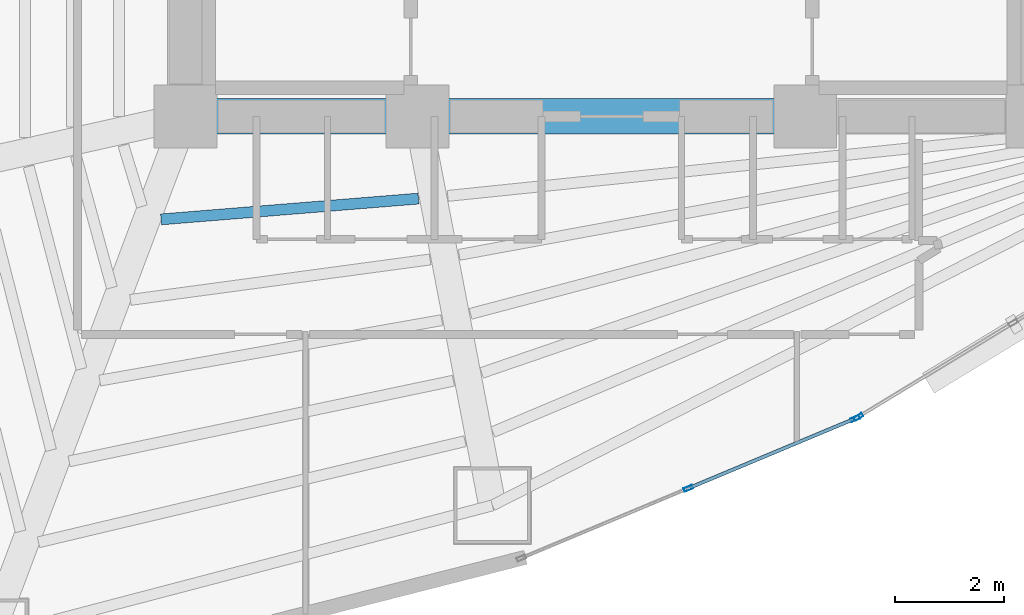
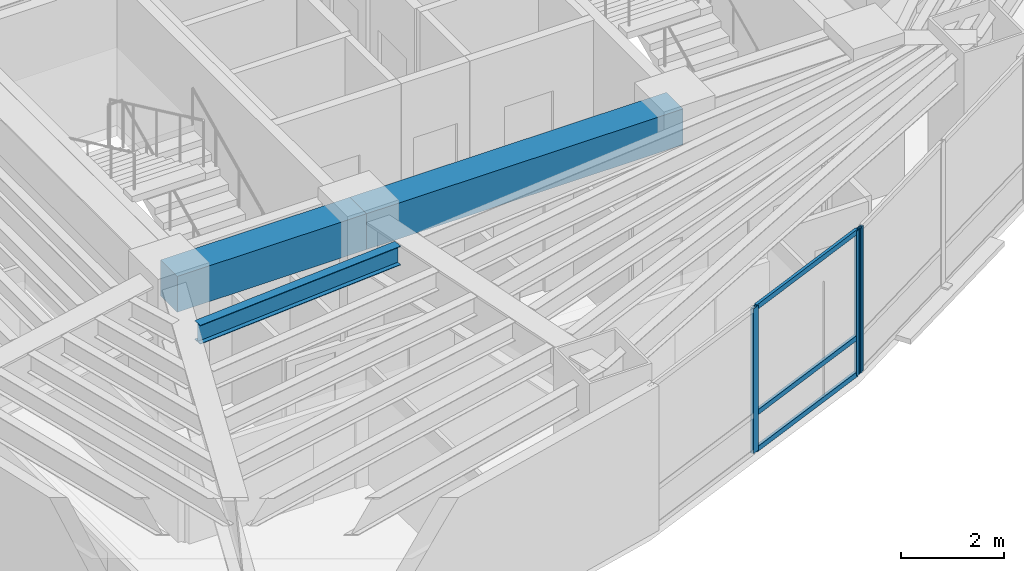
# One storey, part 4 of 18: 6 members, 3 beams, 2 elements without a shape of their own.
"""IFC4 building model written with IfcOpenShell, lengths in metres."""

from ifc_helpers import new_model, si_unit, direction, frame, origin, origin_2d, place, context, subcontext, project, spatial, rectangle, hollow_rectangle, i_section, extrude, material, layer, layer_set, material_profile, profile_set, type_object, element, aggregate, save


model = new_model("IFC4")

# Units and contexts
model_context = context("Model", 3, precision=1e-05, world=origin(), true_north=direction((0.0, 1.0)))
body_context = subcontext(model_context, "Body", "Model", "MODEL_VIEW")
ifc_project = project(units=[si_unit("LENGTHUNIT", "METRE"), si_unit("AREAUNIT", "SQUARE_METRE"), si_unit("VOLUMEUNIT", "CUBIC_METRE"), si_unit("PLANEANGLEUNIT", "RADIAN"), si_unit("MASSUNIT", "GRAM", prefix="KILO")], contexts=[model_context])

# Site, building, storey
site_placement = place(None, origin())
site = spatial("IfcSite", under=ifc_project, at=site_placement, CompositionType="ELEMENT")
building_placement = place(site_placement, origin())
building = spatial("IfcBuilding", under=site, at=building_placement, Name="Menara Vayukalpa", CompositionType="ELEMENT")
storey_placement = place(building_placement, frame((0.0, 0.0, 53.639892578125)))
storey = spatial("IfcBuildingStorey", under=building, at=storey_placement, Name="L12", CompositionType="ELEMENT", Elevation=53.639892578125)

# Beams
ifc_material_1 = material(Name="Concrete C60/75", Category="concrete")
ifc_material_profile_1 = material_profile(ifc_material_1, rectangle(XDim=0.64990234375, YDim=0.85009765625, at=origin_2d()), Name="RC 650x850")
ifc_profile_set_1 = profile_set([ifc_material_profile_1], Name="Concrete C60/75")
beam_type_1 = type_object("IfcBeamType", Name="BM-CB1", PredefinedType="BEAM", material=ifc_profile_set_1)
beam_1_placement = place(storey_placement, frame((17.800048828125, 17.199951171875, 3.01513671875), z_axis=(1.0, 0.0, 0.0), x_axis=(0.0, 1.0, 0.0)))
element("IfcBeam", 1, at=beam_1_placement, inside=storey, type_object=beam_type_1, Name="L12 Core Tie Beam CBR1", PredefinedType="BEAM", context=body_context, shape_type="SweptSolid", body=[
    extrude(rectangle(XDim=0.64990234375, YDim=0.85009765625, at=origin_2d()), origin(), (0.0, 0.0, 1.0), 4.25),
])
beam_2_placement = place(storey_placement, frame((22.050048828125, 17.199951171875, 3.01513671875), z_axis=(1.0, 0.0, 0.0), x_axis=(0.0, 1.0, 0.0)))
element("IfcBeam", 2, at=beam_2_placement, inside=storey, type_object=beam_type_1, Name="L12 Core Tie Beam CBR2", PredefinedType="BEAM", context=body_context, shape_type="SweptSolid", body=[
    extrude(rectangle(XDim=0.64990234375, YDim=0.85009765625, at=origin_2d()), origin(), (0.0, 0.0, 1.0), 7.099853515625),
])
ifc_material_2 = material(Name="Steel S355", Category="steel")
ifc_material_profile_2 = material_profile(ifc_material_2, i_section(OverallWidth=0.199951171875, OverallDepth=0.449951171875, WebThickness=0.009033203125, FlangeThickness=0.013916015625, at=origin_2d()), Name="WF 450x200x9x14")
ifc_profile_set_2 = profile_set([ifc_material_profile_2], Name="Steel S355")
beam_type_2 = type_object("IfcBeamType", Name="BM-SJ1", PredefinedType="JOIST", material=ifc_profile_set_2)
beam_3_placement = place(storey_placement, frame((17.352294921875, 15.313720703125, 3.215087890625), z_axis=(0.996747790035, 0.080584384724, 0.0), x_axis=(-0.080584384724, 0.996747790035, 0.0)))
element("IfcBeam", 3, at=beam_3_placement, inside=storey, type_object=beam_type_2, Name="L12 Secondary Floor Joist SJ07-1", PredefinedType="JOIST", context=body_context, shape_type="SweptSolid", body=[
    extrude(i_section(OverallWidth=0.199951171875, OverallDepth=0.449951171875, WebThickness=0.009033203125, FlangeThickness=0.013916015625, at=origin_2d()), origin(), (0.0, 0.0, 1.0), 4.729248046875),
])

# Curtain wall, members
ifc_material_3 = material(Name="Anodised Terracotta Aluminium Alloy 6063-T6", Category="masonry")
ifc_layer = layer(ifc_material_3, 0.1650390625)
ifc_layer_set = layer_set([ifc_layer], Name="Anodised Terracotta Aluminium Alloy 6063-T6")
curtain_wall_type = type_object("IfcCurtainWallType", Name="CW-CW2", PredefinedType="USERDEFINED", material=ifc_layer_set)
curtain_wall_1_placement = place(storey_placement, origin())
curtain_wall_1 = element("IfcCurtainWall", 4, at=curtain_wall_1_placement, inside=storey, type_object=curtain_wall_type, Name="L12 Low Rise Terracotta Ribbon Curtain Wall CW2 16", ObjectType="UNITISED", PredefinedType="USERDEFINED")
ifc_material_4 = material(Name="Anodised Terracotta Aluminium Alloy 6063-T6", Category="masonry")
ifc_material_profile_3 = material_profile(ifc_material_4, hollow_rectangle(XDim=0.070068359375, YDim=0.1650390625, WallThickness=0.00390625, at=origin_2d()), Name="ALU 70x165x4")
ifc_profile_set_3 = profile_set([ifc_material_profile_3], Name="Anodised Terracotta Aluminium Alloy 6063-T6")
member_type_1 = type_object("IfcMemberType", Name="CWM-CW2", PredefinedType="MULLION", material=ifc_profile_set_3)
member_1_placement = place(storey_placement, frame((27.0068359375, 10.388916015625, 0.0), z_axis=(0.0, 0.0, 1.0), x_axis=(-0.385895120445, 0.922542658101, 0.0)))
member_1 = element("IfcMember", 5, at=member_1_placement, type_object=member_type_1, Name="CW2 mullion 2", PredefinedType="MULLION", context=body_context, shape_type="SweptSolid", body=[
    extrude(hollow_rectangle(XDim=0.070068359375, YDim=0.1650390625, WallThickness=0.00390625, at=origin_2d()), origin(), (0.0, 0.0, 1.0), 3.440185546875),
])
member_2_placement = place(storey_placement, frame((30.062744140625, 11.6669921875, 0.0), z_axis=(0.0, 0.0, 1.0), x_axis=(-0.385895120445, 0.922542658101, 0.0)))
member_2 = element("IfcMember", 6, at=member_2_placement, type_object=member_type_1, Name="CW2 mullion 3", PredefinedType="MULLION", context=body_context, shape_type="SweptSolid", body=[
    extrude(hollow_rectangle(XDim=0.070068359375, YDim=0.1650390625, WallThickness=0.00390625, at=origin_2d()), origin(), (0.0, 0.0, 1.0), 3.440185546875),
])

# Curtain wall, member
curtain_wall_2_placement = place(storey_placement, origin())
curtain_wall_2 = element("IfcCurtainWall", 7, at=curtain_wall_2_placement, inside=storey, type_object=curtain_wall_type, Name="L12 Low Rise Terracotta Ribbon Curtain Wall CW2 17", ObjectType="UNITISED", PredefinedType="USERDEFINED")
member_3_placement = place(storey_placement, frame((30.125, 11.69873046875, 0.0), z_axis=(0.0, 0.0, 1.0), x_axis=(-0.519181964377, 0.854663727945, 0.0)))
member_3 = element("IfcMember", 8, at=member_3_placement, type_object=member_type_1, Name="CW2 mullion 1", PredefinedType="MULLION", context=body_context, shape_type="SweptSolid", body=[
    extrude(hollow_rectangle(XDim=0.070068359375, YDim=0.1650390625, WallThickness=0.00390625, at=origin_2d()), origin(), (0.0, 0.0, 1.0), 3.440185546875),
])
aggregate(curtain_wall_2, [member_3])

# Member
ifc_material_5 = material(Name="Anodised Terracotta Aluminium Alloy 6063-T6", Category="masonry")
ifc_material_profile_4 = material_profile(ifc_material_5, hollow_rectangle(XDim=0.06494140625, YDim=0.1201171875, WallThickness=0.00341796875, at=origin_2d()), Name="ALU 65x120x3.5")
ifc_profile_set_4 = profile_set([ifc_material_profile_4], Name="Anodised Terracotta Aluminium Alloy 6063-T6")
member_type_2 = type_object("IfcMemberType", Name="CWT-CW2", PredefinedType="USERDEFINED", material=ifc_profile_set_4)
member_4_placement = place(storey_placement, frame((27.0390625, 10.40234375, 0.03271484375), z_axis=(0.922552588381, 0.385871379699, 0.0), x_axis=(-0.385871379699, 0.922552588381, 0.0)))
member_4 = element("IfcMember", 9, at=member_4_placement, type_object=member_type_2, Name="CW2 transom 2.1", ObjectType="TRANSOM", PredefinedType="USERDEFINED", context=body_context, shape_type="SweptSolid", body=[
    extrude(hollow_rectangle(XDim=0.06494140625, YDim=0.1201171875, WallThickness=0.00341796875, at=origin_2d()), origin(), (0.0, 0.0, 1.0), 3.24267578125),
])

member_5_placement = place(storey_placement, frame((27.0390625, 10.40234375, 0.900146484375), z_axis=(0.922552588381, 0.385871379699, 0.0), x_axis=(-0.385871379699, 0.922552588381, 0.0)))
member_5 = element("IfcMember", 10, at=member_5_placement, type_object=member_type_2, Name="CW2 transom 2.2", ObjectType="TRANSOM", PredefinedType="USERDEFINED", context=body_context, shape_type="SweptSolid", body=[
    extrude(hollow_rectangle(XDim=0.06494140625, YDim=0.1201171875, WallThickness=0.00341796875, at=origin_2d()), origin(), (0.0, 0.0, 1.0), 3.24267578125),
])

member_6_placement = place(storey_placement, frame((27.0390625, 10.40234375, 3.40771484375), z_axis=(0.922552588381, 0.385871379699, 0.0), x_axis=(-0.385871379699, 0.922552588381, 0.0)))
member_6 = element("IfcMember", 11, at=member_6_placement, type_object=member_type_2, Name="CW2 transom 2.3", ObjectType="TRANSOM", PredefinedType="USERDEFINED", context=body_context, shape_type="SweptSolid", body=[
    extrude(hollow_rectangle(XDim=0.06494140625, YDim=0.1201171875, WallThickness=0.00341796875, at=origin_2d()), origin(), (0.0, 0.0, 1.0), 3.24267578125),
])

aggregate(curtain_wall_1, [member_1, member_2, member_4, member_5, member_6])

save(model, "model.ifc")
